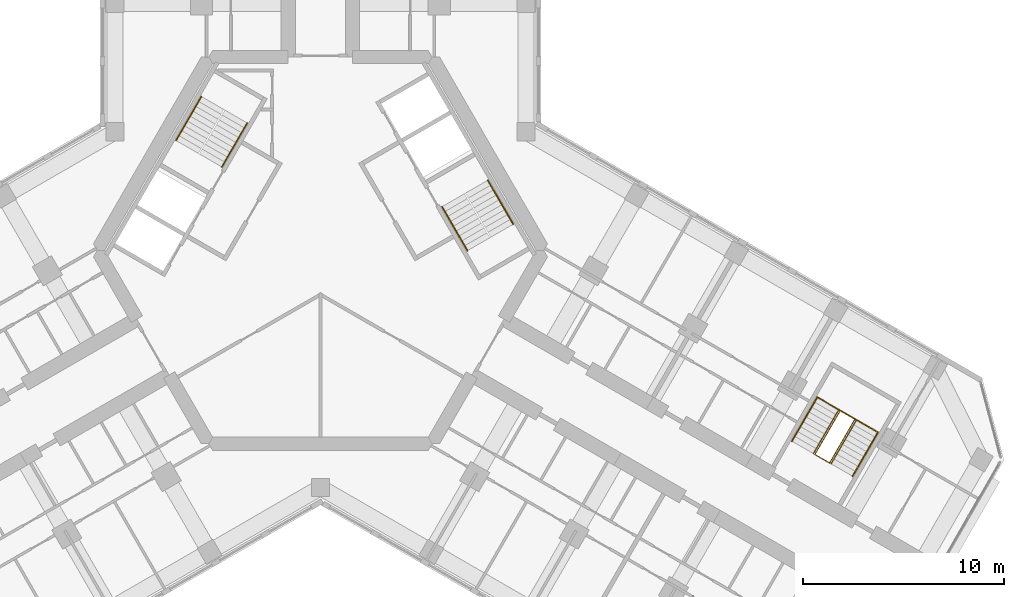
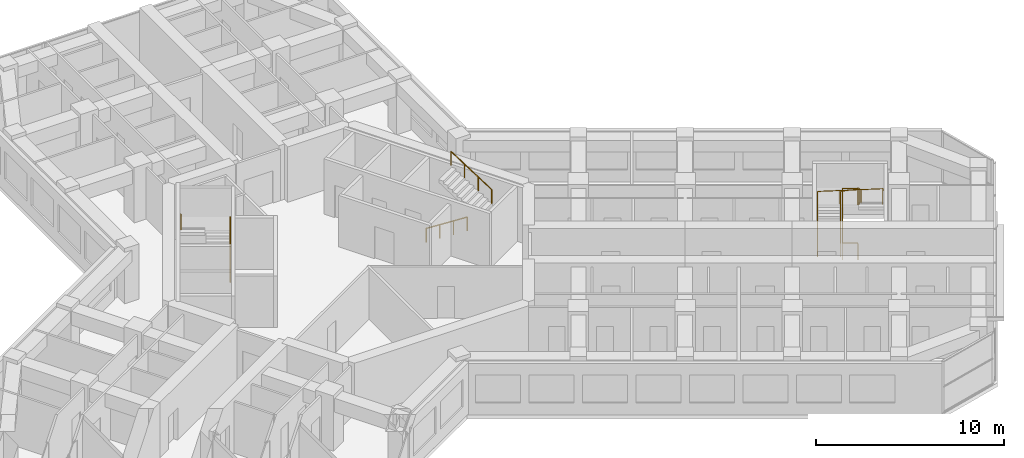
# One storey, part 16 of 16: 7 railings.
"""IFC4 building model written with IfcOpenShell, lengths in metres."""

from ifc_helpers import new_model, si_unit, direction, frame, origin, origin_2d, place, context, subcontext, project, spatial, circle, extrude, material, type_object, element, save


model = new_model("IFC4")

# Units and contexts
model_context = context("Model", 3, precision=1e-05, world=origin(), true_north=direction((0.0, 1.0)))
body_context = subcontext(model_context, "Body", "Model", "MODEL_VIEW")
ifc_project = project(units=[si_unit("LENGTHUNIT", "METRE"), si_unit("AREAUNIT", "SQUARE_METRE"), si_unit("VOLUMEUNIT", "CUBIC_METRE"), si_unit("PLANEANGLEUNIT", "RADIAN"), si_unit("MASSUNIT", "GRAM", prefix="KILO")], contexts=[model_context])

# Site, building, storey
site_placement = place(None, origin())
site = spatial("IfcSite", under=ifc_project, at=site_placement, CompositionType="ELEMENT")
building_placement = place(site_placement, origin())
building = spatial("IfcBuilding", under=site, at=building_placement, Name="Kosmar Iwan School Tower", CompositionType="ELEMENT")
storey_placement = place(building_placement, frame((0.0, 0.0, 211.800048828125)))
storey = spatial("IfcBuildingStorey", under=building, at=storey_placement, Name="L53", CompositionType="ELEMENT", Elevation=211.800048828125)

# Railings
ifc_material_1 = material(Name="Black steel", Category="steel")
railing_type_1 = type_object("IfcRailingType", Name="Stair handrail 900", PredefinedType="HANDRAIL", material=ifc_material_1)
railing_1_placement = place(storey_placement, frame((-4.89453125, 4.142333984375, 0.179931640625)))
element("IfcRailing", 1, at=railing_1_placement, inside=storey, type_object=railing_type_1, Name="Handrail ST2 flight 1", PredefinedType="HANDRAIL", context=body_context, shape_type="SweptSolid", body=[
    extrude(circle(Radius=0.02392578125, at=origin_2d()), frame((0.0, 0.0, 0.8759765625), z_axis=(0.420584145978, 0.728463801763, 0.540785970299), x_axis=(-0.866022637375, 0.500004791531, 0.0)), (0.0, 0.0, 1.0), 2.995849609375),
    extrude(circle(Radius=0.02099609375, at=origin_2d()), origin(), (0.0, 0.0, 1.0), 0.851806640625),
    extrude(circle(Radius=0.02099609375, at=origin_2d()), frame((0.419921875, 0.7275390625, 0.5400390625)), (0.0, 0.0, 1.0), 0.851806640625),
    extrude(circle(Radius=0.02099609375, at=origin_2d()), frame((0.840087890625, 1.454833984375, 1.080078125)), (0.0, 0.0, 1.0), 0.851806640625),
    extrude(circle(Radius=0.02099609375, at=origin_2d()), frame((1.260009765625, 2.182373046875, 1.6201171875)), (0.0, 0.0, 1.0), 0.851806640625),
])
railing_2_placement = place(storey_placement, frame((-5.912353515625, 7.6396484375, 1.97998046875)))
element("IfcRailing", 2, at=railing_2_placement, inside=storey, type_object=railing_type_1, Name="Handrail ST2 flight 2", PredefinedType="HANDRAIL", context=body_context, shape_type="SweptSolid", body=[
    extrude(circle(Radius=0.02392578125, at=origin_2d()), frame((0.0, 0.0, 0.8759765625), z_axis=(-0.42060268101, -0.72849590497, 0.54072830624), x_axis=(0.866022637375, -0.500004791531, 0.0)), (0.0, 0.0, 1.0), 2.99560546875),
    extrude(circle(Radius=0.02099609375, at=origin_2d()), origin(), (0.0, 0.0, 1.0), 0.851806640625),
    extrude(circle(Radius=0.02099609375, at=origin_2d()), frame((-0.419921875, -0.7275390625, 0.5400390625)), (0.0, 0.0, 1.0), 0.851806640625),
    extrude(circle(Radius=0.02099609375, at=origin_2d()), frame((-0.840087890625, -1.454833984375, 1.079833984375)), (0.0, 0.0, 1.0), 0.851806640625),
    extrude(circle(Radius=0.02099609375, at=origin_2d()), frame((-1.260009765625, -2.182373046875, 1.619873046875)), (0.0, 0.0, 1.0), 0.851806640625),
])
railing_3_placement = place(storey_placement, frame((6.03466796875, 2.167724609375, 0.179931640625)))
element("IfcRailing", 3, at=railing_3_placement, inside=storey, type_object=railing_type_1, Name="Handrail ST1 flight 1", PredefinedType="HANDRAIL", context=body_context, shape_type="SweptSolid", body=[
    extrude(circle(Radius=0.02392578125, at=origin_2d()), frame((0.0, 0.0, 0.8759765625), z_axis=(0.420584145978, -0.728463801763, 0.540785970299), x_axis=(0.866022637375, 0.500004791531, 0.0)), (0.0, 0.0, 1.0), 2.995849609375),
    extrude(circle(Radius=0.02099609375, at=origin_2d()), origin(), (0.0, 0.0, 1.0), 0.851806640625),
    extrude(circle(Radius=0.02099609375, at=origin_2d()), frame((0.419921875, -0.7275390625, 0.5400390625)), (0.0, 0.0, 1.0), 0.851806640625),
    extrude(circle(Radius=0.02099609375, at=origin_2d()), frame((0.840087890625, -1.454833984375, 1.080078125)), (0.0, 0.0, 1.0), 0.851806640625),
    extrude(circle(Radius=0.02099609375, at=origin_2d()), frame((1.260009765625, -2.182373046875, 1.6201171875)), (0.0, 0.0, 1.0), 0.851806640625),
])
railing_4_placement = place(storey_placement, frame((9.572265625, 1.30029296875, 1.97998046875)))
element("IfcRailing", 4, at=railing_4_placement, inside=storey, type_object=railing_type_1, Name="Handrail ST1 flight 2", PredefinedType="HANDRAIL", context=body_context, shape_type="SweptSolid", body=[
    extrude(circle(Radius=0.02392578125, at=origin_2d()), frame((0.0, 0.0, 0.8759765625), z_axis=(-0.42060268101, 0.72849590497, 0.54072830624), x_axis=(-0.866022637375, -0.500004791531, 0.0)), (0.0, 0.0, 1.0), 2.99560546875),
    extrude(circle(Radius=0.02099609375, at=origin_2d()), origin(), (0.0, 0.0, 1.0), 0.851806640625),
    extrude(circle(Radius=0.02099609375, at=origin_2d()), frame((-0.419921875, 0.7275390625, 0.5400390625)), (0.0, 0.0, 1.0), 0.851806640625),
    extrude(circle(Radius=0.02099609375, at=origin_2d()), frame((-0.840087890625, 1.454833984375, 1.079833984375)), (0.0, 0.0, 1.0), 0.851806640625),
    extrude(circle(Radius=0.02099609375, at=origin_2d()), frame((-1.260009765625, 2.182373046875, 1.619873046875)), (0.0, 0.0, 1.0), 0.851806640625),
])
railing_5_placement = place(storey_placement, frame((23.4091796875, -9.473876953125, 0.179931640625)))
element("IfcRailing", 5, at=railing_5_placement, inside=storey, type_object=railing_type_1, Name="Handrail stair WS3 L53 wall side", PredefinedType="HANDRAIL", context=body_context, shape_type="SweptSolid", body=[
    extrude(circle(Radius=0.02392578125, at=origin_2d()), frame((0.0, 0.0, 0.8759765625), z_axis=(0.420584145978, 0.728463801763, 0.540785970299), x_axis=(-0.866022637375, 0.500004791531, 0.0)), (0.0, 0.0, 1.0), 2.995849609375),
    extrude(circle(Radius=0.02392578125, at=origin_2d()), frame((1.260009765625, 2.182373046875, 2.49609375), z_axis=(0.864882007433, -0.499312601618, 0.051633701051), x_axis=(0.499979528911, 0.866037222451, 0.0)), (0.0, 0.0, 1.0), 3.48486328125),
    extrude(circle(Radius=0.02392578125, at=origin_2d()), frame((4.27392578125, 0.4423828125, 2.67578125), z_axis=(-0.42060268101, -0.72849590497, 0.54072830624), x_axis=(0.866022637375, -0.500004791531, 0.0)), (0.0, 0.0, 1.0), 2.99560546875),
    extrude(circle(Radius=0.02099609375, at=origin_2d()), origin(), (0.0, 0.0, 1.0), 0.851806640625),
    extrude(circle(Radius=0.02099609375, at=origin_2d()), frame((0.419921875, 0.7275390625, 0.5400390625)), (0.0, 0.0, 1.0), 0.851806640625),
    extrude(circle(Radius=0.02099609375, at=origin_2d()), frame((0.840087890625, 1.454833984375, 1.080078125)), (0.0, 0.0, 1.0), 0.851806640625),
    extrude(circle(Radius=0.02099609375, at=origin_2d()), frame((1.260009765625, 2.182373046875, 1.6201171875)), (0.0, 0.0, 1.0), 0.851806640625),
    extrude(circle(Radius=0.02099609375, at=origin_2d()), frame((2.2646484375, 1.602294921875, 1.68017578125)), (0.0, 0.0, 1.0), 0.851806640625),
    extrude(circle(Radius=0.02099609375, at=origin_2d()), frame((3.269287109375, 1.0224609375, 1.739990234375)), (0.0, 0.0, 1.0), 0.851806640625),
    extrude(circle(Radius=0.02099609375, at=origin_2d()), frame((4.27392578125, 0.4423828125, 1.800048828125)), (0.0, 0.0, 1.0), 0.851806640625),
    extrude(circle(Radius=0.02099609375, at=origin_2d()), frame((3.85400390625, -0.28515625, 2.340087890625)), (0.0, 0.0, 1.0), 0.851806640625),
    extrude(circle(Radius=0.02099609375, at=origin_2d()), frame((3.433837890625, -1.012451171875, 2.8798828125)), (0.0, 0.0, 1.0), 0.851806640625),
    extrude(circle(Radius=0.02099609375, at=origin_2d()), frame((3.013916015625, -1.739990234375, 3.419921875)), (0.0, 0.0, 1.0), 0.851806640625),
])
railing_6_placement = place(storey_placement, frame((24.474609375, -10.0888671875, 0.179931640625)))
element("IfcRailing", 6, at=railing_6_placement, inside=storey, type_object=railing_type_1, Name="Handrail stair WS3 L53 well side", PredefinedType="HANDRAIL", context=body_context, shape_type="SweptSolid", body=[
    extrude(circle(Radius=0.02392578125, at=origin_2d()), frame((0.0, 0.0, 0.8759765625), z_axis=(0.420584145978, 0.728463801763, 0.540785970299), x_axis=(-0.866022637375, 0.500004791531, 0.0)), (0.0, 0.0, 1.0), 2.995849609375),
    extrude(circle(Radius=0.02392578125, at=origin_2d()), frame((1.260009765625, 2.182373046875, 2.49609375), z_axis=(0.852841519511, -0.492422867401, 0.173726976197), x_axis=(0.500026340207, 0.866010195725, 0.0)), (0.0, 0.0, 1.0), 1.03564453125),
    extrude(circle(Radius=0.02392578125, at=origin_2d()), frame((2.143310546875, 1.67236328125, 2.67578125), z_axis=(-0.42060268101, -0.72849590497, 0.54072830624), x_axis=(0.866022637375, -0.500004791531, 0.0)), (0.0, 0.0, 1.0), 2.99560546875),
    extrude(circle(Radius=0.02099609375, at=origin_2d()), origin(), (0.0, 0.0, 1.0), 0.851806640625),
    extrude(circle(Radius=0.02099609375, at=origin_2d()), frame((0.419921875, 0.7275390625, 0.5400390625)), (0.0, 0.0, 1.0), 0.851806640625),
    extrude(circle(Radius=0.02099609375, at=origin_2d()), frame((0.840087890625, 1.454833984375, 1.080078125)), (0.0, 0.0, 1.0), 0.851806640625),
    extrude(circle(Radius=0.02099609375, at=origin_2d()), frame((1.260009765625, 2.182373046875, 1.6201171875)), (0.0, 0.0, 1.0), 0.851806640625),
    extrude(circle(Radius=0.02099609375, at=origin_2d()), frame((2.143310546875, 1.67236328125, 1.800048828125)), (0.0, 0.0, 1.0), 0.851806640625),
    extrude(circle(Radius=0.02099609375, at=origin_2d()), frame((1.723388671875, 0.94482421875, 2.340087890625)), (0.0, 0.0, 1.0), 0.851806640625),
    extrude(circle(Radius=0.02099609375, at=origin_2d()), frame((1.30322265625, 0.217529296875, 2.8798828125)), (0.0, 0.0, 1.0), 0.851806640625),
    extrude(circle(Radius=0.02099609375, at=origin_2d()), frame((0.88330078125, -0.510009765625, 3.419921875)), (0.0, 0.0, 1.0), 0.851806640625),
])
ifc_material_2 = material(Name="Black steel", Category="steel")
railing_type_2 = type_object("IfcRailingType", Name="Stair well guard 1100", PredefinedType="GUARDRAIL", material=ifc_material_2)
railing_7_placement = place(storey_placement, frame((25.280029296875, -10.553955078125, 0.0)))
element("IfcRailing", 7, at=railing_7_placement, inside=storey, type_object=railing_type_2, Name="Stair WS3 L53 well guard", PredefinedType="GUARDRAIL", context=body_context, shape_type="SweptSolid", body=[
    extrude(circle(Radius=0.02392578125, at=origin_2d()), frame((0.0, 0.0, 1.076171875), z_axis=(-0.865962960534, 0.500108139288, 0.0), x_axis=(-0.500108139288, -0.865962960534, 0.0)), (0.0, 0.0, 1.0), 0.840087890625),
    extrude(circle(Radius=0.02392578125, at=origin_2d()), frame((-0.7275390625, 0.420166015625, 1.076171875), z_axis=(0.40686665399, 0.704704712268, 0.58124933925), x_axis=(-0.866022637375, 0.500004791531, 0.0)), (0.0, 0.0, 1.0), 3.096923828125),
    extrude(circle(Radius=0.02392578125, at=origin_2d()), frame((0.532470703125, 2.6025390625, 2.8759765625), z_axis=(0.865890253765, -0.500234013672, 0.0), x_axis=(0.500234013672, 0.865890253765, 0.0)), (0.0, 0.0, 1.0), 0.83984375),
    extrude(circle(Radius=0.02392578125, at=origin_2d()), frame((1.259765625, 2.182373046875, 2.8759765625), z_axis=(-0.406819508263, -0.704759609372, 0.581215778084), x_axis=(0.866064587494, -0.499932125682, 0.0)), (0.0, 0.0, 1.0), 3.0966796875),
    extrude(circle(Radius=0.02099609375, at=origin_2d()), origin(), (0.0, 0.0, 1.0), 1.052001953125),
    extrude(circle(Radius=0.02099609375, at=origin_2d()), frame((-0.7275390625, 0.420166015625, 0.0)), (0.0, 0.0, 1.0), 1.052001953125),
    extrude(circle(Radius=0.02099609375, at=origin_2d()), frame((-0.3076171875, 1.147705078125, 0.60009765625)), (0.0, 0.0, 1.0), 1.052001953125),
    extrude(circle(Radius=0.02099609375, at=origin_2d()), frame((0.112548828125, 1.875, 1.199951171875)), (0.0, 0.0, 1.0), 1.052001953125),
    extrude(circle(Radius=0.02099609375, at=origin_2d()), frame((0.532470703125, 2.6025390625, 1.800048828125)), (0.0, 0.0, 1.0), 1.052001953125),
    extrude(circle(Radius=0.02099609375, at=origin_2d()), frame((1.259765625, 2.182373046875, 1.800048828125)), (0.0, 0.0, 1.0), 1.052001953125),
    extrude(circle(Radius=0.02099609375, at=origin_2d()), frame((0.83984375, 1.454833984375, 2.39990234375)), (0.0, 0.0, 1.0), 1.052001953125),
    extrude(circle(Radius=0.02099609375, at=origin_2d()), frame((0.419921875, 0.7275390625, 3.0)), (0.0, 0.0, 1.0), 1.052001953125),
    extrude(circle(Radius=0.02099609375, at=origin_2d()), frame((0.0, 0.0, 3.599853515625)), (0.0, 0.0, 1.0), 1.052001953125),
])

save(model, "model.ifc")
